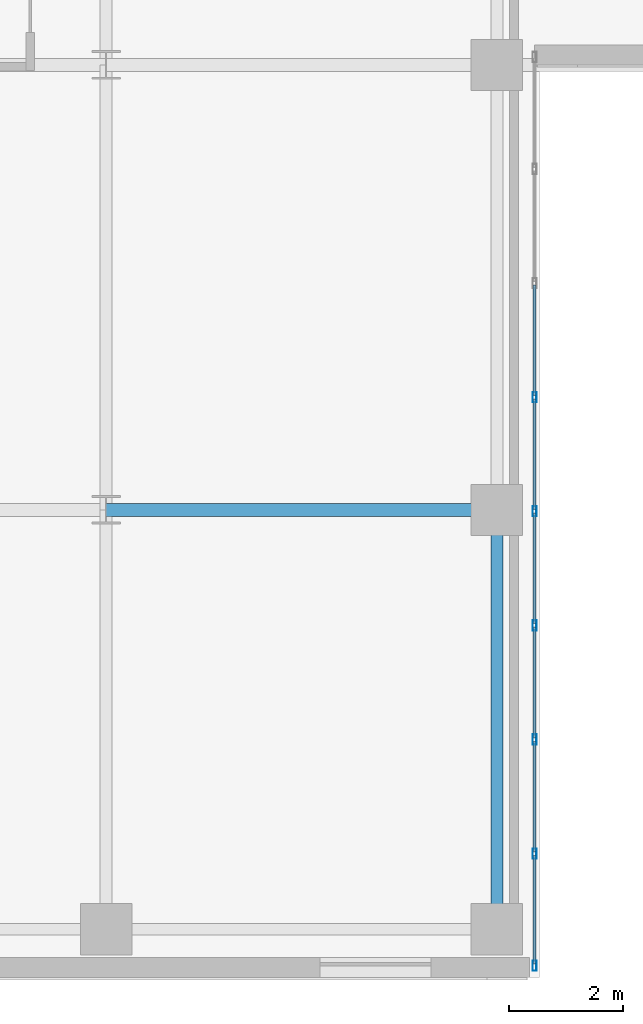
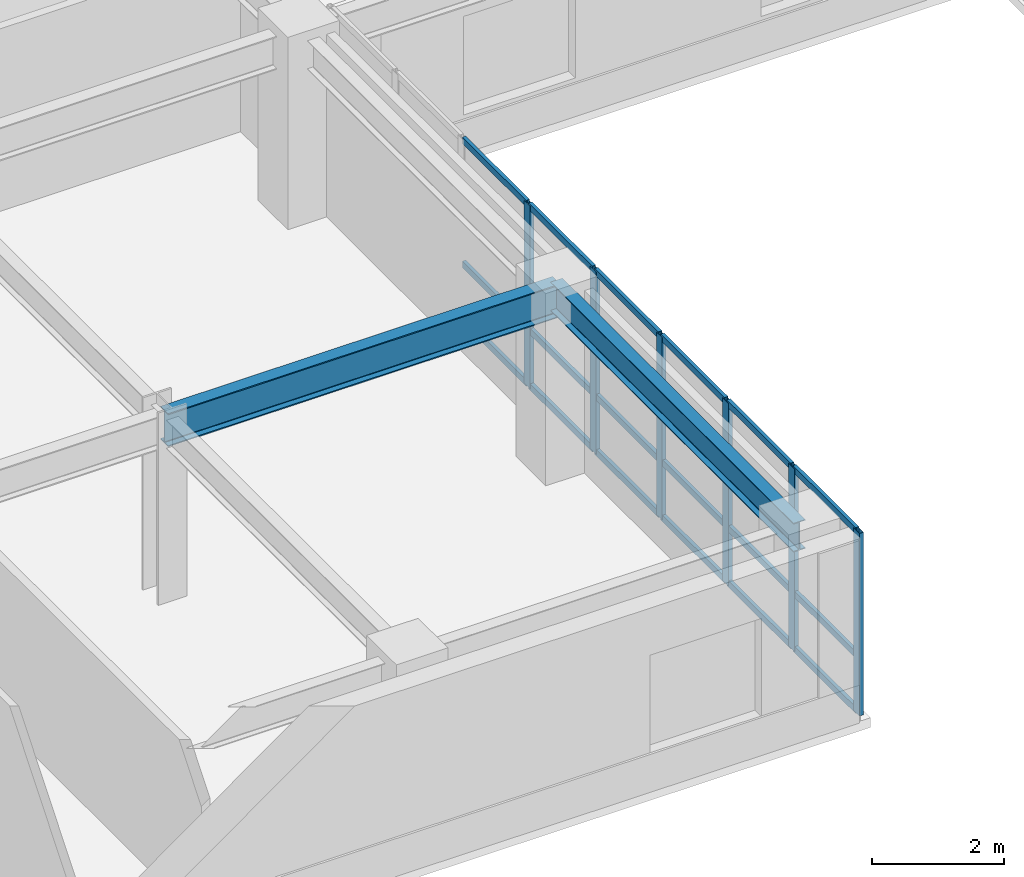
# One storey, part 2 of 24: 24 members, 2 beams, 1 element without a shape of its own.
"""IFC4 building model written with IfcOpenShell, lengths in metres."""

import ifcopenshell
import ifcopenshell.guid

model = None  # the IFC model being written
_history = None  # IfcOwnerHistory: only IFC2X3 demands one
_inside = {}  # id of a spatial element -> (the spatial element, [elements in it])
_under = {}  # id of a project, library or spatial element -> (it, [spatial elements below it])
_declared = {}  # id of a project -> (the project, [libraries it declares])
_typed = {}  # id of a type object -> (the type object, [elements of that type])
_made_of = {}  # id of a material, layer set ... -> (it, [elements and type objects made of it])


def new_model(schema):
    """Start an empty IFC model of exactly this schema.

    Asked for "IFC4X3", IfcOpenShell would pick the latest addendum, in which some entities
    have other attributes; the version numbers below select the first issue.
    IFC2X3 requires an IfcOwnerHistory on every rooted entity: one is made here for all.
    """
    global model, _history
    if schema == "IFC4X3":
        model = ifcopenshell.file(schema_version=(4, 3, 0, 0))
    else:
        model = ifcopenshell.file(schema=schema)
    _inside.clear()
    _under.clear()
    _declared.clear()
    _typed.clear()
    _made_of.clear()
    _history = None
    if model.schema == "IFC2X3":
        org = make("IfcOrganization", Name="unknown")
        user = make(
            "IfcPersonAndOrganization",
            ThePerson=make("IfcPerson", FamilyName="unknown"),
            TheOrganization=org,
        )
        app = make(
            "IfcApplication",
            ApplicationDeveloper=org,
            Version="unknown",
            ApplicationFullName="unknown",
            ApplicationIdentifier="unknown",
        )
        _history = make(
            "IfcOwnerHistory",
            OwningUser=user,
            OwningApplication=app,
            ChangeAction="ADDED",
            CreationDate=0,
        )
    return model


def make(cls, **values):
    """One entity of the class cls with the attributes given. An attribute that is None is left unset."""
    return model.create_entity(
        cls, **{name: value for name, value in values.items() if value is not None}
    )


def rooted(cls, **values):
    """An entity with a GlobalId (a new one), such as an element, a storey or a relation."""
    return make(cls, GlobalId=ifcopenshell.guid.new(), OwnerHistory=_history, **values)


def si_unit(unit_type, name, prefix=None):
    """IfcSIUnit, for example si_unit("LENGTHUNIT", "METRE", prefix="MILLI")."""
    return make("IfcSIUnit", UnitType=unit_type, Prefix=prefix, Name=name)


def assignment(units):
    """IfcUnitAssignment: the units of a project."""
    return None if units is None else make("IfcUnitAssignment", Units=units)


def point(xyz):
    """IfcCartesianPoint."""
    return None if xyz is None else make("IfcCartesianPoint", Coordinates=xyz)


def direction(xyz):
    """IfcDirection."""
    return None if xyz is None else make("IfcDirection", DirectionRatios=xyz)


def frame(location, z_axis=None, x_axis=None):
    """IfcAxis2Placement3D, a coordinate frame: its origin and axes. An axis left out is left unset."""
    return make(
        "IfcAxis2Placement3D",
        Location=point(location),
        Axis=direction(z_axis),
        RefDirection=direction(x_axis),
    )


def frame_2d(location, x_axis=None):
    """IfcAxis2Placement2D, a coordinate frame in the plane: its origin and x axis."""
    return make(
        "IfcAxis2Placement2D", Location=point(location), RefDirection=direction(x_axis)
    )


def origin():
    """The frame at (0, 0, 0) with its axes left unset."""
    return frame((0.0, 0.0, 0.0))


def origin_2d():
    """The frame at (0, 0) in the plane with its x axis left unset."""
    return frame_2d((0.0, 0.0))


def place(relative_to, where):
    """IfcLocalPlacement: puts the frame where relative to a parent placement (None: the world)."""
    return make(
        "IfcLocalPlacement", PlacementRelTo=relative_to, RelativePlacement=where
    )


def context(
    kind, dimensions, precision=None, world=None, true_north=None, identifier=None
):
    """IfcGeometricRepresentationContext, for example the 3D "Model" context."""
    return make(
        "IfcGeometricRepresentationContext",
        ContextIdentifier=identifier,
        ContextType=kind,
        CoordinateSpaceDimension=dimensions,
        Precision=precision,
        WorldCoordinateSystem=world,
        TrueNorth=true_north,
    )


def subcontext(parent, identifier, kind, view, scale=None):
    """IfcGeometricRepresentationSubContext, for example "Body" below "Model"."""
    return make(
        "IfcGeometricRepresentationSubContext",
        ContextIdentifier=identifier,
        ContextType=kind,
        ParentContext=parent,
        TargetScale=scale,
        TargetView=view,
    )


def project(units=None, contexts=None):
    """IfcProject with its units and contexts."""
    return rooted(
        "IfcProject",
        Name="project",
        RepresentationContexts=contexts,
        UnitsInContext=assignment(units),
    )


def spatial(cls, under=None, at=None, **own):
    """A site, building, storey or space (cls), placed at a placement, below another one or the project."""
    s = rooted(cls, ObjectPlacement=at, **own)
    if under is not None:
        _under.setdefault(under.id(), (under, []))[1].append(s)
    return s


def profile(cls, at=None, kind="AREA", **sizes):
    """A parametric profile (cls). Its sizes go by their IFC names, for example OverallWidth=200.0."""
    return make(cls, ProfileType=kind, Position=at, **sizes)


def hollow_rectangle(**sizes):
    """IfcRectangleHollowProfileDef."""
    return profile("IfcRectangleHollowProfileDef", **sizes)


def i_section(**sizes):
    """IfcIShapeProfileDef."""
    return profile("IfcIShapeProfileDef", **sizes)


def extrude(swept, where, along, depth):
    """IfcExtrudedAreaSolid: the profile swept, set in the frame where, extruded along a direction by depth."""
    return make(
        "IfcExtrudedAreaSolid",
        SweptArea=swept,
        Position=where,
        ExtrudedDirection=direction(along),
        Depth=depth,
    )


def shape(context_of_items, identifier, shape_type, items):
    """IfcShapeRepresentation: the items that make up one representation, for example the "Body"."""
    return make(
        "IfcShapeRepresentation",
        ContextOfItems=context_of_items,
        RepresentationIdentifier=identifier,
        RepresentationType=shape_type,
        Items=items,
    )


def source(mapping_origin, context_of_items, identifier, shape_type, items):
    """IfcRepresentationMap: a shape defined once, which mapped items show again and again."""
    return make(
        "IfcRepresentationMap",
        MappingOrigin=mapping_origin,
        MappedRepresentation=shape(context_of_items, identifier, shape_type, items),
    )


def transform(
    local_origin,
    x_axis=None,
    y_axis=None,
    z_axis=None,
    scale=None,
    scale2=None,
    scale3=None,
    uniform=True,
):
    """IfcCartesianTransformationOperator3D, or its non-uniform kind. x_axis, y_axis, z_axis: its Axis1, 2, 3."""
    if uniform:
        return make(
            "IfcCartesianTransformationOperator3D",
            Axis1=direction(x_axis),
            Axis2=direction(y_axis),
            LocalOrigin=point(local_origin),
            Scale=scale,
            Axis3=direction(z_axis),
        )
    return make(
        "IfcCartesianTransformationOperator3DnonUniform",
        Axis1=direction(x_axis),
        Axis2=direction(y_axis),
        LocalOrigin=point(local_origin),
        Scale=scale,
        Axis3=direction(z_axis),
        Scale2=scale2,
        Scale3=scale3,
    )


def mapped(mapping_source, mapping_target):
    """IfcMappedItem: shows the shape of a source again, moved by a transform."""
    return make(
        "IfcMappedItem", MappingSource=mapping_source, MappingTarget=mapping_target
    )


def material(Name=None, Category=None):
    """IfcMaterial."""
    return make("IfcMaterial", Name=Name, Category=Category)


def layer(
    of_material, thickness, ventilated=None, Name=None, Category=None, Priority=None
):
    """IfcMaterialLayer: one layer of a wall or slab, of a material (None: an air gap)."""
    return make(
        "IfcMaterialLayer",
        Material=of_material,
        LayerThickness=thickness,
        IsVentilated=ventilated,
        Name=Name,
        Category=Category,
        Priority=Priority,
    )


def layer_set(layers, Name=None):
    """IfcMaterialLayerSet."""
    return make("IfcMaterialLayerSet", MaterialLayers=layers, LayerSetName=Name)


def material_profile(
    of_material, cross_section, Name=None, Category=None, Priority=None
):
    """IfcMaterialProfile: a cross section and its material."""
    return make(
        "IfcMaterialProfile",
        Name=Name,
        Material=of_material,
        Profile=cross_section,
        Priority=Priority,
        Category=Category,
    )


def profile_set(profiles, Name=None, composite=None):
    """IfcMaterialProfileSet."""
    return make(
        "IfcMaterialProfileSet",
        Name=Name,
        MaterialProfiles=profiles,
        CompositeProfile=composite,
    )


def made_of(thing, what):
    """Note that an element or type object is made of a material, layer set ...; save() writes the relation."""
    if what is not None:
        _made_of.setdefault(what.id(), (what, []))[1].append(thing)
    return thing


def type_object(cls, material=None, **own):
    """A type object (cls), such as IfcWallType, which elements share."""
    return made_of(rooted(cls, **own), material)


def type_shapes(of_type, sources):
    """Give a type object the sources (RepresentationMaps) that its elements show as mapped items."""
    of_type.RepresentationMaps = sources


def element(
    cls,
    number,
    at=None,
    inside=None,
    cuts=None,
    type_object=None,
    material=None,
    context=None,
    identifier="Body",
    shape_type=None,
    held_by="IfcProductDefinitionShape",
    body=None,
    shapes=None,
    **own,
):
    """One element of the class cls, such as IfcWall. Its Tag is "e" and its number.

    at: its placement. inside: the storey or other place that contains it. cuts: it is an
    opening in that element (IfcRelVoidsElement). A single representation is given by context,
    identifier, shape_type and body (its items); several are given by shapes. held_by: the class
    of the entity that holds the representations. save() writes the other relations.
    """
    e = rooted(cls, Tag="e%d" % number, ObjectPlacement=at, **own)
    if body is not None:
        shapes = [shape(context, identifier, shape_type, body)]
    if shapes is not None:
        e.Representation = make(held_by, Representations=shapes)
    if inside is not None:
        _inside.setdefault(inside.id(), (inside, []))[1].append(e)
    if cuts is not None:
        rooted(
            "IfcRelVoidsElement", RelatingBuildingElement=cuts, RelatedOpeningElement=e
        )
    if type_object is not None:
        _typed.setdefault(type_object.id(), (type_object, []))[1].append(e)
    return made_of(e, material)


def aggregate(whole, parts):
    """IfcRelAggregates: a whole, such as a stair, and the parts it consists of."""
    return rooted("IfcRelAggregates", RelatingObject=whole, RelatedObjects=parts)


def save(model, path):
    """Write the relations noted so far, then the file.

    IfcRelAggregates (storeys below a building ...), IfcRelContainedInSpatialStructure (elements
    in a storey), IfcRelDefinesByType, IfcRelAssociatesMaterial and IfcRelDeclares: one each for
    every whole, place, type object, material and project.
    """
    for whole, parts in _under.values():
        aggregate(whole, parts)
    for where, things in _inside.values():
        rooted(
            "IfcRelContainedInSpatialStructure",
            RelatedElements=things,
            RelatingStructure=where,
        )
    for kind, things in _typed.values():
        rooted("IfcRelDefinesByType", RelatedObjects=things, RelatingType=kind)
    for what, things in _made_of.values():
        rooted("IfcRelAssociatesMaterial", RelatedObjects=things, RelatingMaterial=what)
    for by, libraries in _declared.values():
        rooted("IfcRelDeclares", RelatingContext=by, RelatedDefinitions=libraries)
    model.write(path)


model = new_model("IFC4")

# Units and contexts
model_context = context("Model", 3, precision=1e-05, world=origin(), true_north=direction((0.0, 1.0)))
body_context = subcontext(model_context, "Body", "Model", "MODEL_VIEW")
ifc_project = project(units=[si_unit("LENGTHUNIT", "METRE"), si_unit("AREAUNIT", "SQUARE_METRE"), si_unit("VOLUMEUNIT", "CUBIC_METRE"), si_unit("PLANEANGLEUNIT", "RADIAN"), si_unit("MASSUNIT", "GRAM", prefix="KILO")], contexts=[model_context])

# Site, building, storey
site_placement = place(None, origin())
site = spatial("IfcSite", under=ifc_project, at=site_placement, CompositionType="ELEMENT")
building_placement = place(site_placement, origin())
building = spatial("IfcBuilding", under=site, at=building_placement, Name="Tolvann Quenvar Hotel", CompositionType="ELEMENT")
storey_placement = place(building_placement, frame((0.0, 0.0, 88.800048828125)))
storey = spatial("IfcBuildingStorey", under=building, at=storey_placement, Name="L22", CompositionType="ELEMENT", Elevation=88.800048828125)

# Beams
ifc_material_1 = material(Name="Steel Grade 350", Category="steel")
ifc_material_profile_1 = material_profile(ifc_material_1, i_section(OverallWidth=0.22900390625, OverallDepth=0.612060546875, WebThickness=0.011962890625, FlangeThickness=0.01953125, FilletRadius=0.013916015625, at=origin_2d()), Name="610UB125")
ifc_profile_set_1 = profile_set([ifc_material_profile_1], Name="Steel Grade 350")
beam_type_1 = type_object("IfcBeamType", Name="BM_GIRD_610UB125", PredefinedType="BEAM", material=ifc_profile_set_1)
shared_shape_1 = source(origin(), body_context, "Body", "SweptSolid", [
    extrude(i_section(OverallWidth=0.22900390625, OverallDepth=0.612060546875, WebThickness=0.011962890625, FlangeThickness=0.01953125, FilletRadius=0.013916015625, at=origin_2d()), origin(), (0.0, 0.0, 1.0), 6.85009765625),
])
type_shapes(beam_type_1, [shared_shape_1])
beam_1_placement = place(storey_placement, frame((15.199951171875, 8.199951171875, 3.06396484375), z_axis=(1.0, 0.0, 0.0), x_axis=(0.0, 1.0, 0.0)))
element("IfcBeam", 1, at=beam_1_placement, inside=storey, type_object=beam_type_1, Name="BM-L22-EW-3-D3-E3", PredefinedType="BEAM", context=body_context, shape_type="MappedRepresentation", body=[
    mapped(shared_shape_1, transform((0.0, 0.0, 0.0), x_axis=(1.0, 0.0, 0.0), y_axis=(0.0, 1.0, 0.0), z_axis=(0.0, 0.0, 1.0), scale=1.0)),
])
ifc_material_profile_2 = material_profile(ifc_material_1, i_section(OverallWidth=0.208984375, OverallDepth=0.532958984375, WebThickness=0.01025390625, FlangeThickness=0.015625, FilletRadius=0.013916015625, at=origin_2d()), Name="530UB92")
ifc_profile_set_2 = profile_set([ifc_material_profile_2], Name="Steel Grade 350")
beam_type_2 = type_object("IfcBeamType", Name="BM_GIRD_530UB92", PredefinedType="BEAM", material=ifc_profile_set_2)
shared_shape_2 = source(origin(), body_context, "Body", "SweptSolid", [
    extrude(i_section(OverallWidth=0.208984375, OverallDepth=0.532958984375, WebThickness=0.01025390625, FlangeThickness=0.015625, FilletRadius=0.013916015625, at=origin_2d()), origin(), (0.0, 0.0, 1.0), 7.349853515625),
])
type_shapes(beam_type_2, [shared_shape_2])
beam_2_placement = place(storey_placement, frame((22.050048828125, 0.85009765625, 3.103515625), z_axis=(0.0, 1.0, 0.0), x_axis=(-1.0, 0.0, 0.0)))
element("IfcBeam", 2, at=beam_2_placement, inside=storey, type_object=beam_type_2, Name="BM-L22-NS-E2-E3", PredefinedType="BEAM", context=body_context, shape_type="MappedRepresentation", body=[
    mapped(shared_shape_2, transform((0.0, 0.0, 0.0), x_axis=(1.0, 0.0, 0.0), y_axis=(0.0, 1.0, 0.0), z_axis=(0.0, 0.0, 1.0), scale=1.0)),
])

# Curtain wall, members
ifc_material_2 = material(Name="Thermally broken anodised architectural aluminium 6063-T6 and laminated low-E glass", Category="aluminium")
ifc_layer = layer(ifc_material_2, 0.179931640625)
ifc_layer_set = layer_set([ifc_layer], Name="Thermally broken anodised architectural aluminium 6063-T6 and laminated low-E glass")
curtain_wall_type = type_object("IfcCurtainWallType", Name="CW_SYS_SLOT_03", PredefinedType="USERDEFINED", material=ifc_layer_set)
curtain_wall_placement = place(storey_placement, origin())
curtain_wall = element("IfcCurtainWall", 3, at=curtain_wall_placement, inside=storey, type_object=curtain_wall_type, Name="Curtain Wall CW-SLOT-03 (CWR-L22-E05)", ObjectType="UNITISED CURTAIN WALL", PredefinedType="USERDEFINED")
ifc_material_3 = material(Name="Anodised architectural aluminium 6063-T6 framing", Category="aluminium")
ifc_material_profile_3 = material_profile(ifc_material_3, hollow_rectangle(XDim=0.06005859375, YDim=0.1201171875, WallThickness=0.00341796875, at=origin_2d()), Name="120x60x3.5RHS")
ifc_profile_set_3 = profile_set([ifc_material_profile_3], Name="Anodised architectural aluminium 6063-T6 framing")
member_type_1 = type_object("IfcMemberType", Name="CW_TRAN_120x60", PredefinedType="USERDEFINED", material=ifc_profile_set_3)
shared_shape_3 = source(origin(), body_context, "Body", "SweptSolid", [
    extrude(hollow_rectangle(XDim=0.06005859375, YDim=0.1201171875, WallThickness=0.00341796875, at=origin_2d()), origin(), (0.0, 0.0, 1.0), 1.894775390625),
])
member_1_placement = place(storey_placement, frame((22.7099609375, 0.2451171875, 0.030029296875), z_axis=(0.0, 1.0, 0.0), x_axis=(-1.0, 0.0, 0.0)))
member_1 = element("IfcMember", 4, at=member_1_placement, type_object=member_type_1, Name="CW-SLOT-03 transom 1.1", ObjectType="TRANSOM", PredefinedType="USERDEFINED", context=body_context, shape_type="MappedRepresentation", body=[
    mapped(shared_shape_3, transform((0.0, 0.0, 0.0), x_axis=(1.0, 0.0, 0.0), y_axis=(0.0, 1.0, 0.0), z_axis=(0.0, 0.0, 1.0), scale=1.0)),
])
member_2_placement = place(storey_placement, frame((22.7099609375, 0.2451171875, 1.050048828125), z_axis=(0.0, 1.0, 0.0), x_axis=(-1.0, 0.0, 0.0)))
member_2 = element("IfcMember", 5, at=member_2_placement, type_object=member_type_1, Name="CW-SLOT-03 transom 1.2", ObjectType="TRANSOM", PredefinedType="USERDEFINED", context=body_context, shape_type="MappedRepresentation", body=[
    mapped(shared_shape_3, transform((0.0, 0.0, 0.0), x_axis=(1.0, 0.0, 0.0), y_axis=(0.0, 1.0, 0.0), z_axis=(0.0, 0.0, 1.0), scale=1.0)),
])
member_3_placement = place(storey_placement, frame((22.7099609375, 0.2451171875, 3.33984375), z_axis=(0.0, 1.0, 0.0), x_axis=(-1.0, 0.0, 0.0)))
member_3 = element("IfcMember", 6, at=member_3_placement, type_object=member_type_1, Name="CW-SLOT-03 transom 1.3", ObjectType="TRANSOM", PredefinedType="USERDEFINED", context=body_context, shape_type="MappedRepresentation", body=[
    mapped(shared_shape_3, transform((0.0, 0.0, 0.0), x_axis=(1.0, 0.0, 0.0), y_axis=(0.0, 1.0, 0.0), z_axis=(0.0, 0.0, 1.0), scale=1.0)),
])
shared_shape_4 = source(origin(), body_context, "Body", "SweptSolid", [
    extrude(hollow_rectangle(XDim=0.06005859375, YDim=0.1201171875, WallThickness=0.00341796875, at=origin_2d()), origin(), (0.0, 0.0, 1.0), 1.929931640625),
])
type_shapes(member_type_1, [shared_shape_3, shared_shape_4])
member_4_placement = place(storey_placement, frame((22.7099609375, 2.2099609375, 0.030029296875), z_axis=(0.0, 1.0, 0.0), x_axis=(-1.0, 0.0, 0.0)))
member_4 = element("IfcMember", 7, at=member_4_placement, type_object=member_type_1, Name="CW-SLOT-03 transom 2.1", ObjectType="TRANSOM", PredefinedType="USERDEFINED", context=body_context, shape_type="MappedRepresentation", body=[
    mapped(shared_shape_4, transform((0.0, 0.0, 0.0), x_axis=(1.0, 0.0, 0.0), y_axis=(0.0, 1.0, 0.0), z_axis=(0.0, 0.0, 1.0), scale=1.0)),
])
member_5_placement = place(storey_placement, frame((22.7099609375, 2.2099609375, 1.050048828125), z_axis=(0.0, 1.0, 0.0), x_axis=(-1.0, 0.0, 0.0)))
member_5 = element("IfcMember", 8, at=member_5_placement, type_object=member_type_1, Name="CW-SLOT-03 transom 2.2", ObjectType="TRANSOM", PredefinedType="USERDEFINED", context=body_context, shape_type="MappedRepresentation", body=[
    mapped(shared_shape_4, transform((0.0, 0.0, 0.0), x_axis=(1.0, 0.0, 0.0), y_axis=(0.0, 1.0, 0.0), z_axis=(0.0, 0.0, 1.0), scale=1.0)),
])
member_6_placement = place(storey_placement, frame((22.7099609375, 2.2099609375, 3.33984375), z_axis=(0.0, 1.0, 0.0), x_axis=(-1.0, 0.0, 0.0)))
member_6 = element("IfcMember", 9, at=member_6_placement, type_object=member_type_1, Name="CW-SLOT-03 transom 2.3", ObjectType="TRANSOM", PredefinedType="USERDEFINED", context=body_context, shape_type="MappedRepresentation", body=[
    mapped(shared_shape_4, transform((0.0, 0.0, 0.0), x_axis=(1.0, 0.0, 0.0), y_axis=(0.0, 1.0, 0.0), z_axis=(0.0, 0.0, 1.0), scale=1.0)),
])
member_7_placement = place(storey_placement, frame((22.7099609375, 4.2099609375, 0.030029296875), z_axis=(0.0, 1.0, 0.0), x_axis=(-1.0, 0.0, 0.0)))
member_7 = element("IfcMember", 10, at=member_7_placement, type_object=member_type_1, Name="CW-SLOT-03 transom 3.1", ObjectType="TRANSOM", PredefinedType="USERDEFINED", context=body_context, shape_type="MappedRepresentation", body=[
    mapped(shared_shape_4, transform((0.0, 0.0, 0.0), x_axis=(1.0, 0.0, 0.0), y_axis=(0.0, 1.0, 0.0), z_axis=(0.0, 0.0, 1.0), scale=1.0)),
])
member_8_placement = place(storey_placement, frame((22.7099609375, 4.2099609375, 1.050048828125), z_axis=(0.0, 1.0, 0.0), x_axis=(-1.0, 0.0, 0.0)))
member_8 = element("IfcMember", 11, at=member_8_placement, type_object=member_type_1, Name="CW-SLOT-03 transom 3.2", ObjectType="TRANSOM", PredefinedType="USERDEFINED", context=body_context, shape_type="MappedRepresentation", body=[
    mapped(shared_shape_4, transform((0.0, 0.0, 0.0), x_axis=(1.0, 0.0, 0.0), y_axis=(0.0, 1.0, 0.0), z_axis=(0.0, 0.0, 1.0), scale=1.0)),
])
member_9_placement = place(storey_placement, frame((22.7099609375, 4.2099609375, 3.33984375), z_axis=(0.0, 1.0, 0.0), x_axis=(-1.0, 0.0, 0.0)))
member_9 = element("IfcMember", 12, at=member_9_placement, type_object=member_type_1, Name="CW-SLOT-03 transom 3.3", ObjectType="TRANSOM", PredefinedType="USERDEFINED", context=body_context, shape_type="MappedRepresentation", body=[
    mapped(shared_shape_4, transform((0.0, 0.0, 0.0), x_axis=(1.0, 0.0, 0.0), y_axis=(0.0, 1.0, 0.0), z_axis=(0.0, 0.0, 1.0), scale=1.0)),
])
member_10_placement = place(storey_placement, frame((22.7099609375, 6.2099609375, 0.030029296875), z_axis=(0.0, 1.0, 0.0), x_axis=(-1.0, 0.0, 0.0)))
member_10 = element("IfcMember", 13, at=member_10_placement, type_object=member_type_1, Name="CW-SLOT-03 transom 4.1", ObjectType="TRANSOM", PredefinedType="USERDEFINED", context=body_context, shape_type="MappedRepresentation", body=[
    mapped(shared_shape_4, transform((0.0, 0.0, 0.0), x_axis=(1.0, 0.0, 0.0), y_axis=(0.0, 1.0, 0.0), z_axis=(0.0, 0.0, 1.0), scale=1.0)),
])
member_11_placement = place(storey_placement, frame((22.7099609375, 6.2099609375, 1.050048828125), z_axis=(0.0, 1.0, 0.0), x_axis=(-1.0, 0.0, 0.0)))
member_11 = element("IfcMember", 14, at=member_11_placement, type_object=member_type_1, Name="CW-SLOT-03 transom 4.2", ObjectType="TRANSOM", PredefinedType="USERDEFINED", context=body_context, shape_type="MappedRepresentation", body=[
    mapped(shared_shape_4, transform((0.0, 0.0, 0.0), x_axis=(1.0, 0.0, 0.0), y_axis=(0.0, 1.0, 0.0), z_axis=(0.0, 0.0, 1.0), scale=1.0)),
])
member_12_placement = place(storey_placement, frame((22.7099609375, 6.2099609375, 3.33984375), z_axis=(0.0, 1.0, 0.0), x_axis=(-1.0, 0.0, 0.0)))
member_12 = element("IfcMember", 15, at=member_12_placement, type_object=member_type_1, Name="CW-SLOT-03 transom 4.3", ObjectType="TRANSOM", PredefinedType="USERDEFINED", context=body_context, shape_type="MappedRepresentation", body=[
    mapped(shared_shape_4, transform((0.0, 0.0, 0.0), x_axis=(1.0, 0.0, 0.0), y_axis=(0.0, 1.0, 0.0), z_axis=(0.0, 0.0, 1.0), scale=1.0)),
])
member_13_placement = place(storey_placement, frame((22.7099609375, 8.2099609375, 0.030029296875), z_axis=(0.0, 1.0, 0.0), x_axis=(-1.0, 0.0, 0.0)))
member_13 = element("IfcMember", 16, at=member_13_placement, type_object=member_type_1, Name="CW-SLOT-03 transom 5.1", ObjectType="TRANSOM", PredefinedType="USERDEFINED", context=body_context, shape_type="MappedRepresentation", body=[
    mapped(shared_shape_4, transform((0.0, 0.0, 0.0), x_axis=(1.0, 0.0, 0.0), y_axis=(0.0, 1.0, 0.0), z_axis=(0.0, 0.0, 1.0), scale=1.0)),
])
member_14_placement = place(storey_placement, frame((22.7099609375, 8.2099609375, 1.050048828125), z_axis=(0.0, 1.0, 0.0), x_axis=(-1.0, 0.0, 0.0)))
member_14 = element("IfcMember", 17, at=member_14_placement, type_object=member_type_1, Name="CW-SLOT-03 transom 5.2", ObjectType="TRANSOM", PredefinedType="USERDEFINED", context=body_context, shape_type="MappedRepresentation", body=[
    mapped(shared_shape_4, transform((0.0, 0.0, 0.0), x_axis=(1.0, 0.0, 0.0), y_axis=(0.0, 1.0, 0.0), z_axis=(0.0, 0.0, 1.0), scale=1.0)),
])
member_15_placement = place(storey_placement, frame((22.7099609375, 8.2099609375, 3.33984375), z_axis=(0.0, 1.0, 0.0), x_axis=(-1.0, 0.0, 0.0)))
member_15 = element("IfcMember", 18, at=member_15_placement, type_object=member_type_1, Name="CW-SLOT-03 transom 5.3", ObjectType="TRANSOM", PredefinedType="USERDEFINED", context=body_context, shape_type="MappedRepresentation", body=[
    mapped(shared_shape_4, transform((0.0, 0.0, 0.0), x_axis=(1.0, 0.0, 0.0), y_axis=(0.0, 1.0, 0.0), z_axis=(0.0, 0.0, 1.0), scale=1.0)),
])
member_16_placement = place(storey_placement, frame((22.7099609375, 10.2099609375, 0.030029296875), z_axis=(0.0, 1.0, 0.0), x_axis=(-1.0, 0.0, 0.0)))
member_16 = element("IfcMember", 19, at=member_16_placement, type_object=member_type_1, Name="CW-SLOT-03 transom 6.1", ObjectType="TRANSOM", PredefinedType="USERDEFINED", context=body_context, shape_type="MappedRepresentation", body=[
    mapped(shared_shape_4, transform((0.0, 0.0, 0.0), x_axis=(1.0, 0.0, 0.0), y_axis=(0.0, 1.0, 0.0), z_axis=(0.0, 0.0, 1.0), scale=1.0)),
])
member_17_placement = place(storey_placement, frame((22.7099609375, 10.2099609375, 1.050048828125), z_axis=(0.0, 1.0, 0.0), x_axis=(-1.0, 0.0, 0.0)))
member_17 = element("IfcMember", 20, at=member_17_placement, type_object=member_type_1, Name="CW-SLOT-03 transom 6.2", ObjectType="TRANSOM", PredefinedType="USERDEFINED", context=body_context, shape_type="MappedRepresentation", body=[
    mapped(shared_shape_4, transform((0.0, 0.0, 0.0), x_axis=(1.0, 0.0, 0.0), y_axis=(0.0, 1.0, 0.0), z_axis=(0.0, 0.0, 1.0), scale=1.0)),
])
member_18_placement = place(storey_placement, frame((22.7099609375, 10.2099609375, 3.33984375), z_axis=(0.0, 1.0, 0.0), x_axis=(-1.0, 0.0, 0.0)))
member_18 = element("IfcMember", 21, at=member_18_placement, type_object=member_type_1, Name="CW-SLOT-03 transom 6.3", ObjectType="TRANSOM", PredefinedType="USERDEFINED", context=body_context, shape_type="MappedRepresentation", body=[
    mapped(shared_shape_4, transform((0.0, 0.0, 0.0), x_axis=(1.0, 0.0, 0.0), y_axis=(0.0, 1.0, 0.0), z_axis=(0.0, 0.0, 1.0), scale=1.0)),
])
ifc_material_profile_4 = material_profile(ifc_material_3, hollow_rectangle(XDim=0.070068359375, YDim=0.179931640625, WallThickness=0.00390625, at=origin_2d()), Name="180x70x4RHS")
ifc_profile_set_4 = profile_set([ifc_material_profile_4], Name="Anodised architectural aluminium 6063-T6 framing")
member_type_2 = type_object("IfcMemberType", Name="CW_MULL_180x70", PredefinedType="MULLION", material=ifc_profile_set_4)
shared_shape_5 = source(origin(), body_context, "Body", "SweptSolid", [
    extrude(hollow_rectangle(XDim=0.070068359375, YDim=0.179931640625, WallThickness=0.00390625, at=origin_2d()), origin(), (0.0, 0.0, 1.0), 3.369873046875),
])
type_shapes(member_type_2, [shared_shape_5])
member_19_placement = place(storey_placement, frame((22.7099609375, 0.2099609375, 0.0), z_axis=(0.0, 0.0, 1.0), x_axis=(-1.0, 0.0, 0.0)))
member_19 = element("IfcMember", 22, at=member_19_placement, type_object=member_type_2, Name="CW-SLOT-03 mullion 1", PredefinedType="MULLION", context=body_context, shape_type="MappedRepresentation", body=[
    mapped(shared_shape_5, transform((0.0, 0.0, 0.0), x_axis=(1.0, 0.0, 0.0), y_axis=(0.0, 1.0, 0.0), z_axis=(0.0, 0.0, 1.0), scale=1.0)),
])
member_20_placement = place(storey_placement, frame((22.7099609375, 2.175048828125, 0.0), z_axis=(0.0, 0.0, 1.0), x_axis=(-1.0, 0.0, 0.0)))
member_20 = element("IfcMember", 23, at=member_20_placement, type_object=member_type_2, Name="CW-SLOT-03 mullion 2", PredefinedType="MULLION", context=body_context, shape_type="MappedRepresentation", body=[
    mapped(shared_shape_5, transform((0.0, 0.0, 0.0), x_axis=(1.0, 0.0, 0.0), y_axis=(0.0, 1.0, 0.0), z_axis=(0.0, 0.0, 1.0), scale=1.0)),
])
member_21_placement = place(storey_placement, frame((22.7099609375, 4.175048828125, 0.0), z_axis=(0.0, 0.0, 1.0), x_axis=(-1.0, 0.0, 0.0)))
member_21 = element("IfcMember", 24, at=member_21_placement, type_object=member_type_2, Name="CW-SLOT-03 mullion 3", PredefinedType="MULLION", context=body_context, shape_type="MappedRepresentation", body=[
    mapped(shared_shape_5, transform((0.0, 0.0, 0.0), x_axis=(1.0, 0.0, 0.0), y_axis=(0.0, 1.0, 0.0), z_axis=(0.0, 0.0, 1.0), scale=1.0)),
])
member_22_placement = place(storey_placement, frame((22.7099609375, 6.175048828125, 0.0), z_axis=(0.0, 0.0, 1.0), x_axis=(-1.0, 0.0, 0.0)))
member_22 = element("IfcMember", 25, at=member_22_placement, type_object=member_type_2, Name="CW-SLOT-03 mullion 4", PredefinedType="MULLION", context=body_context, shape_type="MappedRepresentation", body=[
    mapped(shared_shape_5, transform((0.0, 0.0, 0.0), x_axis=(1.0, 0.0, 0.0), y_axis=(0.0, 1.0, 0.0), z_axis=(0.0, 0.0, 1.0), scale=1.0)),
])
member_23_placement = place(storey_placement, frame((22.7099609375, 8.175048828125, 0.0), z_axis=(0.0, 0.0, 1.0), x_axis=(-1.0, 0.0, 0.0)))
member_23 = element("IfcMember", 26, at=member_23_placement, type_object=member_type_2, Name="CW-SLOT-03 mullion 5", PredefinedType="MULLION", context=body_context, shape_type="MappedRepresentation", body=[
    mapped(shared_shape_5, transform((0.0, 0.0, 0.0), x_axis=(1.0, 0.0, 0.0), y_axis=(0.0, 1.0, 0.0), z_axis=(0.0, 0.0, 1.0), scale=1.0)),
])
member_24_placement = place(storey_placement, frame((22.7099609375, 10.175048828125, 0.0), z_axis=(0.0, 0.0, 1.0), x_axis=(-1.0, 0.0, 0.0)))
member_24 = element("IfcMember", 27, at=member_24_placement, type_object=member_type_2, Name="CW-SLOT-03 mullion 6", PredefinedType="MULLION", context=body_context, shape_type="MappedRepresentation", body=[
    mapped(shared_shape_5, transform((0.0, 0.0, 0.0), x_axis=(1.0, 0.0, 0.0), y_axis=(0.0, 1.0, 0.0), z_axis=(0.0, 0.0, 1.0), scale=1.0)),
])
aggregate(curtain_wall, [member_19, member_20, member_21, member_22, member_23, member_24, member_1, member_2, member_3, member_4, member_5, member_6, member_7, member_8, member_9, member_10, member_11, member_12, member_13, member_14, member_15, member_16, member_17, member_18])

save(model, "model.ifc")
